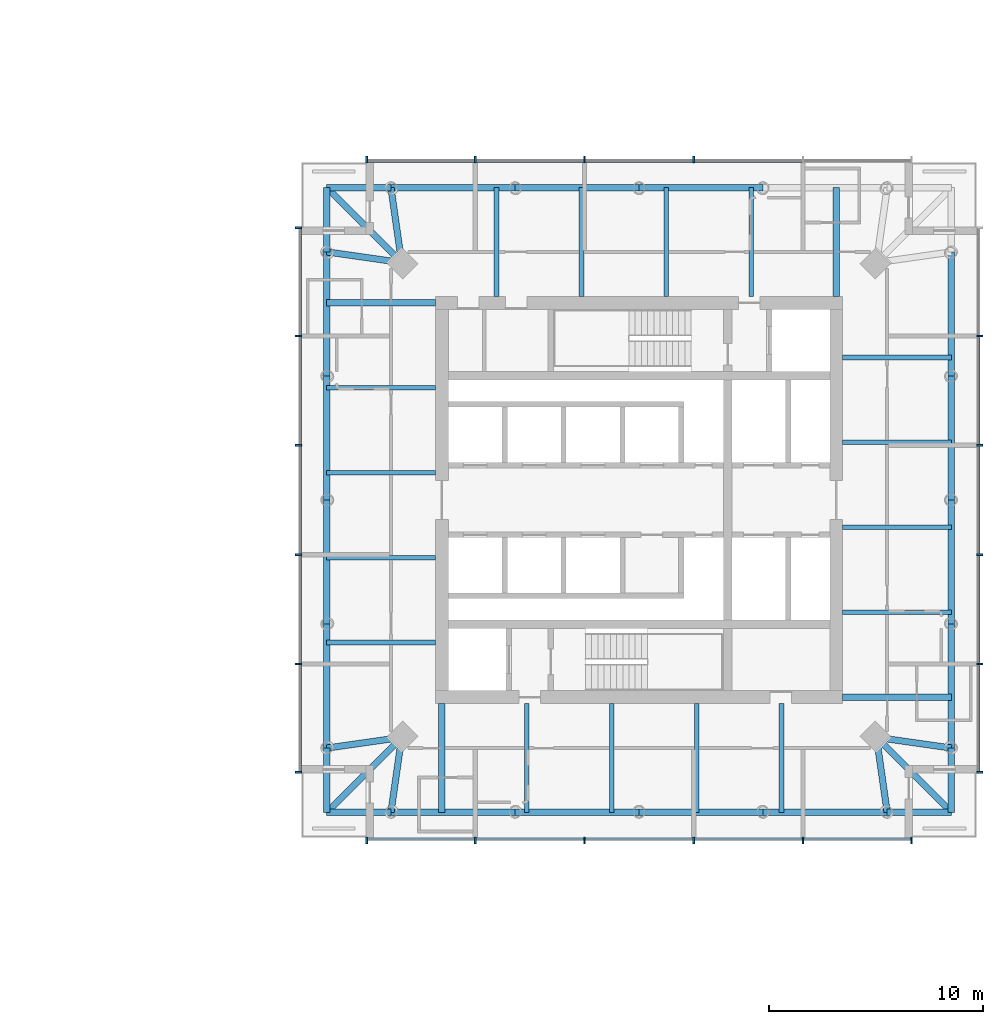
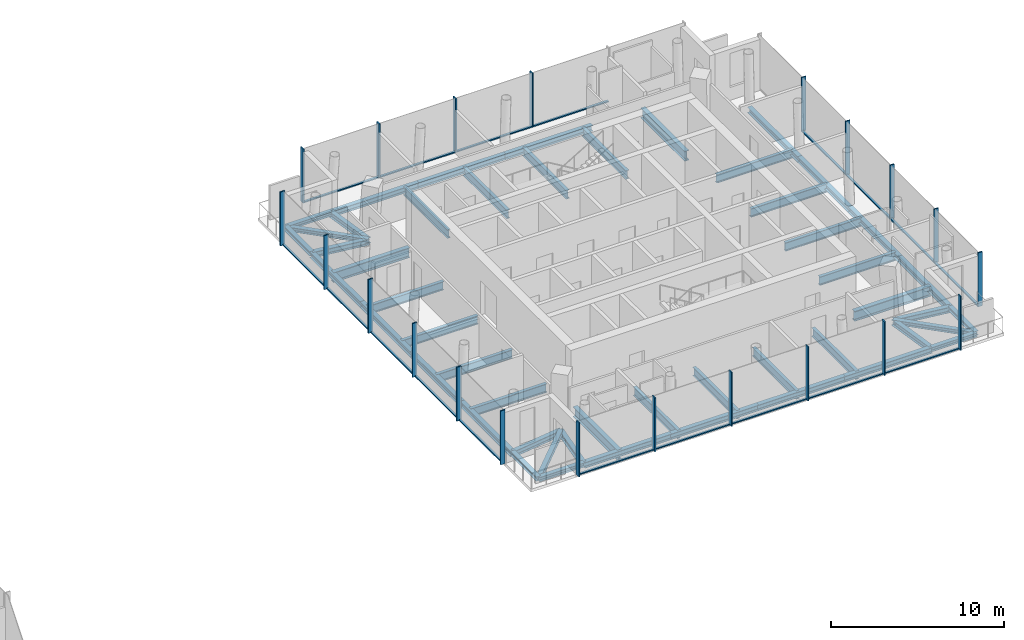
# One storey, part 4 of 18: 50 beams, 39 members, 4 elements without a shape of their own.
"""IFC4 building model written with IfcOpenShell, lengths in metres."""

from ifc_helpers import new_model, si_unit, direction, frame, origin, origin_2d, place, context, subcontext, project, spatial, rectangle, i_section, extrude, material, material_profile, profile_set, type_object, element, aggregate, save


model = new_model("IFC4")

# Units and contexts
model_context = context("Model", 3, precision=1e-05, world=origin(), true_north=direction((0.0, 1.0)))
body_context = subcontext(model_context, "Body", "Model", "MODEL_VIEW")
ifc_project = project(units=[si_unit("LENGTHUNIT", "METRE"), si_unit("AREAUNIT", "SQUARE_METRE"), si_unit("VOLUMEUNIT", "CUBIC_METRE"), si_unit("PLANEANGLEUNIT", "RADIAN"), si_unit("MASSUNIT", "GRAM", prefix="KILO")], contexts=[model_context])

# Site, building, storey
site_placement = place(None, origin())
site = spatial("IfcSite", under=ifc_project, at=site_placement, CompositionType="ELEMENT")
building_placement = place(site_placement, origin())
building = spatial("IfcBuilding", under=site, at=building_placement, Name="Ostroluk Exchange", CompositionType="ELEMENT")
storey_placement = place(building_placement, frame((0.0, 0.0, 123.60009765625)))
storey = spatial("IfcBuildingStorey", under=building, at=storey_placement, Name="L31", CompositionType="ELEMENT", Elevation=123.60009765625)

# Beams
ifc_material_1 = material(Name="Steel S355", Category="steel")
ifc_material_profile_1 = material_profile(ifc_material_1, i_section(OverallWidth=0.300048828125, OverallDepth=0.300048828125, WebThickness=0.010986328125, FlangeThickness=0.01904296875, FilletRadius=0.027099609375, at=origin_2d()), Name="HEB 300")
ifc_profile_set_1 = profile_set([ifc_material_profile_1], Name="Steel S355")
beam_type_1 = type_object("IfcBeamType", Name="Balcony beam HEB 300", PredefinedType="BEAM", material=ifc_profile_set_1)
for number, where, z_axis, x_axis, name in (
    (1, (105.42236328125, 60.57763671875, -0.35009765625), (-1.0, 0.0, 0.0), (0.0, -1.0, 0.0), "T2 north balcony beam a"),
    (2, (102.42236328125, 57.57763671875, -0.35009765625), (0.0, 1.0, 0.0), (-1.0, 0.0, 0.0), "T2 north balcony beam b"),
):
    element("IfcBeam", number, at=place(storey_placement, frame(where, z_axis=z_axis, x_axis=x_axis)), inside=storey, type_object=beam_type_1, Name=name, PredefinedType="BEAM", context=body_context, shape_type="SweptSolid", body=[
        extrude(i_section(OverallWidth=0.300048828125, OverallDepth=0.300048828125, WebThickness=0.010986328125, FlangeThickness=0.01904296875, FilletRadius=0.027099609375, at=origin_2d()), origin(), (0.0, 0.0, 1.0), 3.0),
    ])
beam_1_placement = place(storey_placement, frame((105.92236328125, 57.07763671875, -0.35009765625), z_axis=(-0.707106781187, 0.707106781187, 0.0), x_axis=(-0.707106781187, -0.707106781187, 0.0)))
element("IfcBeam", 3, at=beam_1_placement, inside=storey, type_object=beam_type_1, Name="T2 north balcony beam c", PredefinedType="BEAM", context=body_context, shape_type="SweptSolid", body=[
    extrude(i_section(OverallWidth=0.300048828125, OverallDepth=0.300048828125, WebThickness=0.010986328125, FlangeThickness=0.01904296875, FilletRadius=0.027099609375, at=origin_2d()), origin(), (0.0, 0.0, 1.0), 4.94970703125),
])
for number, where, z_axis, x_axis, name in (
    (4, (102.42236328125, 34.42236328125, -0.35009765625), (0.0, -1.0, 0.0), (1.0, 0.0, 0.0), "T2 west balcony beam a"),
    (5, (105.42236328125, 31.42236328125, -0.35009765625), (-1.0, 0.0, 0.0), (0.0, -1.0, 0.0), "T2 west balcony beam b"),
):
    element("IfcBeam", number, at=place(storey_placement, frame(where, z_axis=z_axis, x_axis=x_axis)), inside=storey, type_object=beam_type_1, Name=name, PredefinedType="BEAM", context=body_context, shape_type="SweptSolid", body=[
        extrude(i_section(OverallWidth=0.300048828125, OverallDepth=0.300048828125, WebThickness=0.010986328125, FlangeThickness=0.01904296875, FilletRadius=0.027099609375, at=origin_2d()), origin(), (0.0, 0.0, 1.0), 3.0),
    ])
beam_2_placement = place(storey_placement, frame((105.92236328125, 34.92236328125, -0.35009765625), z_axis=(-0.707106781187, -0.707106781187, 0.0), x_axis=(0.707106781187, -0.707106781187, 0.0)))
element("IfcBeam", 6, at=beam_2_placement, inside=storey, type_object=beam_type_1, Name="T2 west balcony beam c", PredefinedType="BEAM", context=body_context, shape_type="SweptSolid", body=[
    extrude(i_section(OverallWidth=0.300048828125, OverallDepth=0.300048828125, WebThickness=0.010986328125, FlangeThickness=0.01904296875, FilletRadius=0.027099609375, at=origin_2d()), origin(), (0.0, 0.0, 1.0), 4.94970703125),
])
for number, where, z_axis, x_axis, name in (
    (7, (128.57763671875, 31.42236328125, -0.35009765625), (1.0, 0.0, 0.0), (0.0, 1.0, 0.0), "T2 south balcony beam a"),
    (8, (131.57763671875, 34.42236328125, -0.35009765625), (0.0, -1.0, 0.0), (1.0, 0.0, 0.0), "T2 south balcony beam b"),
):
    element("IfcBeam", number, at=place(storey_placement, frame(where, z_axis=z_axis, x_axis=x_axis)), inside=storey, type_object=beam_type_1, Name=name, PredefinedType="BEAM", context=body_context, shape_type="SweptSolid", body=[
        extrude(i_section(OverallWidth=0.300048828125, OverallDepth=0.300048828125, WebThickness=0.010986328125, FlangeThickness=0.01904296875, FilletRadius=0.027099609375, at=origin_2d()), origin(), (0.0, 0.0, 1.0), 3.0),
    ])
beam_3_placement = place(storey_placement, frame((128.07763671875, 34.92236328125, -0.35009765625), z_axis=(0.707106781187, -0.707106781187, 0.0), x_axis=(0.707106781187, 0.707106781187, 0.0)))
element("IfcBeam", 9, at=beam_3_placement, inside=storey, type_object=beam_type_1, Name="T2 south balcony beam c", PredefinedType="BEAM", context=body_context, shape_type="SweptSolid", body=[
    extrude(i_section(OverallWidth=0.300048828125, OverallDepth=0.300048828125, WebThickness=0.010986328125, FlangeThickness=0.01904296875, FilletRadius=0.027099609375, at=origin_2d()), origin(), (0.0, 0.0, 1.0), 4.94970703125),
])
ifc_material_2 = material(Name="Steel S355", Category="steel")
ifc_material_profile_2 = material_profile(ifc_material_2, i_section(OverallWidth=0.300048828125, OverallDepth=0.39990234375, WebThickness=0.013427734375, FlangeThickness=0.02392578125, FilletRadius=0.027099609375, at=origin_2d()), Name="HEB 400")
ifc_profile_set_2 = profile_set([ifc_material_profile_2], Name="Steel S355")
beam_type_2 = type_object("IfcBeamType", Name="Corner edge beam HEB 400", PredefinedType="SPANDREL", material=ifc_profile_set_2)
for number, where, z_axis, x_axis, name in (
    (10, (105.92236328125, 57.07763671875, -0.400146484375), (-0.141421356237, 0.989949493661, 0.0), (-0.989949493661, -0.141421356237, 0.0), "T2 north corner edge beam a"),
    (11, (105.92236328125, 57.07763671875, -0.400146484375), (-0.989949493661, 0.141421356237, 0.0), (-0.141421356237, -0.989949493661, 0.0), "T2 north corner edge beam b"),
    (12, (105.92236328125, 34.92236328125, -0.400146484375), (-0.989949493661, -0.141421356237, 0.0), (0.141421356237, -0.989949493661, 0.0), "T2 west corner edge beam a"),
    (13, (105.92236328125, 34.92236328125, -0.400146484375), (-0.141421356237, -0.989949493661, 0.0), (0.989949493661, -0.141421356237, 0.0), "T2 west corner edge beam b"),
    (14, (128.07763671875, 34.92236328125, -0.400146484375), (0.141421356237, -0.989949493661, 0.0), (0.989949493661, 0.141421356237, 0.0), "T2 south corner edge beam a"),
    (15, (128.07763671875, 34.92236328125, -0.400146484375), (0.989949493661, -0.141421356237, 0.0), (0.141421356237, 0.989949493661, 0.0), "T2 south corner edge beam b"),
):
    element("IfcBeam", number, at=place(storey_placement, frame(where, z_axis=z_axis, x_axis=x_axis)), inside=storey, type_object=beam_type_2, Name=name, PredefinedType="SPANDREL", context=body_context, shape_type="SweptSolid", body=[
        extrude(i_section(OverallWidth=0.300048828125, OverallDepth=0.39990234375, WebThickness=0.013427734375, FlangeThickness=0.02392578125, FilletRadius=0.027099609375, at=origin_2d()), origin(), (0.0, 0.0, 1.0), 3.53564453125),
    ])
ifc_material_3 = material(Name="Steel S355", Category="steel")
ifc_material_profile_3 = material_profile(ifc_material_3, i_section(OverallWidth=0.219970703125, OverallDepth=0.60009765625, WebThickness=0.011962890625, FlangeThickness=0.01904296875, FilletRadius=0.02392578125, at=origin_2d()), Name="IPE 600")
ifc_profile_set_3 = profile_set([ifc_material_profile_3], Name="Steel S355")
beam_type_3 = type_object("IfcBeamType", Name="Floor beam IPE 600", PredefinedType="BEAM", material=ifc_profile_set_3)
for number, where, z_axis, x_axis, name in (
    (16, (126.5, 40.762939453125, -0.5), (1.0, 0.0, 0.0), (0.0, 1.0, 0.0), "T2 east floor beam 1"),
    (17, (126.5, 44.725830078125, -0.5), (1.0, 0.0, 0.0), (0.0, 1.0, 0.0), "T2 east floor beam 2"),
    (18, (126.5, 48.688720703125, -0.5), (1.0, 0.0, 0.0), (0.0, 1.0, 0.0), "T2 east floor beam 3"),
    (19, (126.5, 52.651611328125, -0.5), (1.0, 0.0, 0.0), (0.0, 1.0, 0.0), "T2 east floor beam 4"),
    (20, (122.237060546875, 55.5, -0.5), (0.0, 1.0, 0.0), (-1.0, 0.0, 0.0), "T2 north floor beam 1"),
    (21, (118.274169921875, 55.5, -0.5), (0.0, 1.0, 0.0), (-1.0, 0.0, 0.0), "T2 north floor beam 2"),
    (22, (114.311279296875, 55.5, -0.5), (0.0, 1.0, 0.0), (-1.0, 0.0, 0.0), "T2 north floor beam 3"),
    (23, (110.348388671875, 55.5, -0.5), (0.0, 1.0, 0.0), (-1.0, 0.0, 0.0), "T2 north floor beam 4"),
    (24, (107.5, 51.237060546875, -0.5), (-1.0, 0.0, 0.0), (0.0, -1.0, 0.0), "T2 west floor beam 1"),
    (25, (107.5, 47.274169921875, -0.5), (-1.0, 0.0, 0.0), (0.0, -1.0, 0.0), "T2 west floor beam 2"),
    (26, (107.5, 43.311279296875, -0.5), (-1.0, 0.0, 0.0), (0.0, -1.0, 0.0), "T2 west floor beam 3"),
    (27, (107.5, 39.348388671875, -0.5), (-1.0, 0.0, 0.0), (0.0, -1.0, 0.0), "T2 west floor beam 4"),
    (28, (111.762939453125, 36.5, -0.5), (0.0, -1.0, 0.0), (1.0, 0.0, 0.0), "T2 south floor beam 1"),
    (29, (115.725830078125, 36.5, -0.5), (0.0, -1.0, 0.0), (1.0, 0.0, 0.0), "T2 south floor beam 2"),
    (30, (119.688720703125, 36.5, -0.5), (0.0, -1.0, 0.0), (1.0, 0.0, 0.0), "T2 south floor beam 3"),
    (31, (123.651611328125, 36.5, -0.5), (0.0, -1.0, 0.0), (1.0, 0.0, 0.0), "T2 south floor beam 4"),
):
    element("IfcBeam", number, at=place(storey_placement, frame(where, z_axis=z_axis, x_axis=x_axis)), inside=storey, type_object=beam_type_3, Name=name, PredefinedType="BEAM", context=body_context, shape_type="SweptSolid", body=[
        extrude(i_section(OverallWidth=0.219970703125, OverallDepth=0.60009765625, WebThickness=0.011962890625, FlangeThickness=0.01904296875, FilletRadius=0.02392578125, at=origin_2d()), origin(), (0.0, 0.0, 1.0), 5.07763671875),
    ])
ifc_material_4 = material(Name="Steel S355", Category="steel")
ifc_material_profile_4 = material_profile(ifc_material_4, i_section(OverallWidth=0.300048828125, OverallDepth=0.699951171875, WebThickness=0.01708984375, FlangeThickness=0.031982421875, FilletRadius=0.027099609375, at=origin_2d()), Name="HEB 700")
ifc_profile_set_4 = profile_set([ifc_material_profile_4], Name="Steel S355")
beam_type_4 = type_object("IfcBeamType", Name="Girder HEB 700", PredefinedType="BEAM", material=ifc_profile_set_4)
for number, where, z_axis, x_axis, name in (
    (32, (126.199951171875, 55.5, -0.550048828125), (0.0, 1.0, 0.0), (-1.0, 0.0, 0.0), "T2 east girder"),
    (33, (107.5, 55.199951171875, -0.550048828125), (-1.0, 0.0, 0.0), (0.0, -1.0, 0.0), "T2 north girder"),
    (34, (107.800048828125, 36.5, -0.550048828125), (0.0, -1.0, 0.0), (1.0, 0.0, 0.0), "T2 west girder"),
    (35, (126.5, 36.800048828125, -0.550048828125), (1.0, 0.0, 0.0), (0.0, 1.0, 0.0), "T2 south girder"),
):
    element("IfcBeam", number, at=place(storey_placement, frame(where, z_axis=z_axis, x_axis=x_axis)), inside=storey, type_object=beam_type_4, Name=name, PredefinedType="BEAM", context=body_context, shape_type="SweptSolid", body=[
        extrude(i_section(OverallWidth=0.300048828125, OverallDepth=0.699951171875, WebThickness=0.01708984375, FlangeThickness=0.031982421875, FilletRadius=0.027099609375, at=origin_2d()), origin(), (0.0, 0.0, 1.0), 5.07763671875),
    ])
ifc_material_5 = material(Name="Steel S355", Category="steel")
ifc_material_profile_5 = material_profile(ifc_material_5, i_section(OverallWidth=0.300048828125, OverallDepth=0.39990234375, WebThickness=0.013427734375, FlangeThickness=0.02392578125, FilletRadius=0.027099609375, at=origin_2d()), Name="HEB 400")
ifc_profile_set_5 = profile_set([ifc_material_profile_5], Name="Steel S355")
beam_type_5 = type_object("IfcBeamType", Name="Moment-connected edge beam HEB 400", PredefinedType="SPANDREL", material=ifc_profile_set_5)
for number, where, z_axis, x_axis, name in (
    (36, (131.57763671875, 34.42236328125, -0.400146484375), (0.0, 1.0, 0.0), (-1.0, 0.0, 0.0), "T2 east edge beam 1"),
    (37, (131.57763671875, 40.211181640625, -0.400146484375), (0.0, 1.0, 0.0), (-1.0, 0.0, 0.0), "T2 east edge beam 2"),
    (38, (131.57763671875, 46.0, -0.400146484375), (0.0, 1.0, 0.0), (-1.0, 0.0, 0.0), "T2 east edge beam 3"),
    (39, (131.57763671875, 51.788818359375, -0.400146484375), (0.0, 1.0, 0.0), (-1.0, 0.0, 0.0), "T2 east edge beam 4"),
    (40, (122.788818359375, 60.57763671875, -0.400146484375), (-1.0, 0.0, 0.0), (0.0, -1.0, 0.0), "T2 north edge beam 2"),
    (41, (117.0, 60.57763671875, -0.400146484375), (-1.0, 0.0, 0.0), (0.0, -1.0, 0.0), "T2 north edge beam 3"),
    (42, (111.211181640625, 60.57763671875, -0.400146484375), (-1.0, 0.0, 0.0), (0.0, -1.0, 0.0), "T2 north edge beam 4"),
    (43, (102.42236328125, 57.57763671875, -0.400146484375), (0.0, -1.0, 0.0), (1.0, 0.0, 0.0), "T2 west edge beam 1"),
    (44, (102.42236328125, 51.788818359375, -0.400146484375), (0.0, -1.0, 0.0), (1.0, 0.0, 0.0), "T2 west edge beam 2"),
    (45, (102.42236328125, 46.0, -0.400146484375), (0.0, -1.0, 0.0), (1.0, 0.0, 0.0), "T2 west edge beam 3"),
    (46, (102.42236328125, 40.211181640625, -0.400146484375), (0.0, -1.0, 0.0), (1.0, 0.0, 0.0), "T2 west edge beam 4"),
    (47, (105.42236328125, 31.42236328125, -0.400146484375), (1.0, 0.0, 0.0), (0.0, 1.0, 0.0), "T2 south edge beam 1"),
    (48, (111.211181640625, 31.42236328125, -0.400146484375), (1.0, 0.0, 0.0), (0.0, 1.0, 0.0), "T2 south edge beam 2"),
    (49, (117.0, 31.42236328125, -0.400146484375), (1.0, 0.0, 0.0), (0.0, 1.0, 0.0), "T2 south edge beam 3"),
    (50, (122.788818359375, 31.42236328125, -0.400146484375), (1.0, 0.0, 0.0), (0.0, 1.0, 0.0), "T2 south edge beam 4"),
):
    element("IfcBeam", number, at=place(storey_placement, frame(where, z_axis=z_axis, x_axis=x_axis)), inside=storey, type_object=beam_type_5, Name=name, PredefinedType="SPANDREL", context=body_context, shape_type="SweptSolid", body=[
        extrude(i_section(OverallWidth=0.300048828125, OverallDepth=0.39990234375, WebThickness=0.013427734375, FlangeThickness=0.02392578125, FilletRadius=0.027099609375, at=origin_2d()), origin(), (0.0, 0.0, 1.0), 5.788818359375),
    ])

# Curtain wall, members
ifc_material_6 = material(Name="Laminated clear glass", Category="glass")
curtain_wall_type = type_object("IfcCurtainWallType", Name="Hotel guest floor facade", PredefinedType="USERDEFINED", material=ifc_material_6)
curtain_wall_1_placement = place(storey_placement, origin())
curtain_wall_1 = element("IfcCurtainWall", 51, at=curtain_wall_1_placement, inside=storey, type_object=curtain_wall_type, Name="Hotel tower south facade L31", ObjectType="UNITISED CURTAIN WALL", PredefinedType="USERDEFINED")
ifc_material_7 = material(Name="Aluminium mullion", Category="aluminium")
ifc_material_profile_6 = material_profile(ifc_material_7, rectangle(XDim=0.14990234375, YDim=0.080078125, at=origin_2d()), Name="Sill transom 80 x 150")
ifc_profile_set_6 = profile_set([ifc_material_profile_6], Name="Aluminium mullion")
member_type_1 = type_object("IfcMemberType", Name="Sill transom 80 x 150", PredefinedType="USERDEFINED", material=ifc_profile_set_6)
member_1_placement = place(storey_placement, frame((104.330078125, 30.175048828125, 0.039794921875), z_axis=(1.0, 0.0, 0.0), x_axis=(0.0, 1.0, 0.0)))
member_1 = element("IfcMember", 52, at=member_1_placement, type_object=member_type_1, Name="CW-H1 transom 1.1", ObjectType="TRANSOM", PredefinedType="USERDEFINED", context=body_context, shape_type="SweptSolid", body=[
    extrude(rectangle(XDim=0.14990234375, YDim=0.080078125, at=origin_2d()), origin(), (0.0, 0.0, 1.0), 4.97998046875),
])
member_2_placement = place(storey_placement, frame((109.389892578125, 30.175048828125, 0.039794921875), z_axis=(1.0, 0.0, 0.0), x_axis=(0.0, 1.0, 0.0)))
member_2 = element("IfcMember", 53, at=member_2_placement, type_object=member_type_1, Name="CW-H1 transom 2.1", ObjectType="TRANSOM", PredefinedType="USERDEFINED", context=body_context, shape_type="SweptSolid", body=[
    extrude(rectangle(XDim=0.14990234375, YDim=0.080078125, at=origin_2d()), origin(), (0.0, 0.0, 1.0), 5.02001953125),
])
member_3_placement = place(storey_placement, frame((114.489990234375, 30.175048828125, 0.039794921875), z_axis=(1.0, 0.0, 0.0), x_axis=(0.0, 1.0, 0.0)))
member_3 = element("IfcMember", 54, at=member_3_placement, type_object=member_type_1, Name="CW-H1 transom 3.1", ObjectType="TRANSOM", PredefinedType="USERDEFINED", context=body_context, shape_type="SweptSolid", body=[
    extrude(rectangle(XDim=0.14990234375, YDim=0.080078125, at=origin_2d()), origin(), (0.0, 0.0, 1.0), 5.02001953125),
])
member_4_placement = place(storey_placement, frame((119.590087890625, 30.175048828125, 0.039794921875), z_axis=(1.0, 0.0, 0.0), x_axis=(0.0, 1.0, 0.0)))
member_4 = element("IfcMember", 55, at=member_4_placement, type_object=member_type_1, Name="CW-H1 transom 4.1", ObjectType="TRANSOM", PredefinedType="USERDEFINED", context=body_context, shape_type="SweptSolid", body=[
    extrude(rectangle(XDim=0.14990234375, YDim=0.080078125, at=origin_2d()), origin(), (0.0, 0.0, 1.0), 5.02001953125),
])
member_5_placement = place(storey_placement, frame((124.68994140625, 30.175048828125, 0.039794921875), z_axis=(1.0, 0.0, 0.0), x_axis=(0.0, 1.0, 0.0)))
member_5 = element("IfcMember", 56, at=member_5_placement, type_object=member_type_1, Name="CW-H1 transom 5.1", ObjectType="TRANSOM", PredefinedType="USERDEFINED", context=body_context, shape_type="SweptSolid", body=[
    extrude(rectangle(XDim=0.14990234375, YDim=0.080078125, at=origin_2d()), origin(), (0.0, 0.0, 1.0), 4.97998046875),
])

curtain_wall_2_placement = place(storey_placement, origin())
curtain_wall_2 = element("IfcCurtainWall", 57, at=curtain_wall_2_placement, inside=storey, type_object=curtain_wall_type, Name="Hotel tower east facade L31", ObjectType="UNITISED CURTAIN WALL", PredefinedType="USERDEFINED")
member_6_placement = place(storey_placement, frame((132.824951171875, 33.330078125, 0.039794921875), z_axis=(0.0, 1.0, 0.0), x_axis=(-1.0, 0.0, 0.0)))
member_6 = element("IfcMember", 58, at=member_6_placement, type_object=member_type_1, Name="CW-H1 transom 1.1", ObjectType="TRANSOM", PredefinedType="USERDEFINED", context=body_context, shape_type="SweptSolid", body=[
    extrude(rectangle(XDim=0.14990234375, YDim=0.080078125, at=origin_2d()), origin(), (0.0, 0.0, 1.0), 4.97998046875),
])
member_7_placement = place(storey_placement, frame((132.824951171875, 38.389892578125, 0.039794921875), z_axis=(0.0, 1.0, 0.0), x_axis=(-1.0, 0.0, 0.0)))
member_7 = element("IfcMember", 59, at=member_7_placement, type_object=member_type_1, Name="CW-H1 transom 2.1", ObjectType="TRANSOM", PredefinedType="USERDEFINED", context=body_context, shape_type="SweptSolid", body=[
    extrude(rectangle(XDim=0.14990234375, YDim=0.080078125, at=origin_2d()), origin(), (0.0, 0.0, 1.0), 5.02001953125),
])
member_8_placement = place(storey_placement, frame((132.824951171875, 43.489990234375, 0.039794921875), z_axis=(0.0, 1.0, 0.0), x_axis=(-1.0, 0.0, 0.0)))
member_8 = element("IfcMember", 60, at=member_8_placement, type_object=member_type_1, Name="CW-H1 transom 3.1", ObjectType="TRANSOM", PredefinedType="USERDEFINED", context=body_context, shape_type="SweptSolid", body=[
    extrude(rectangle(XDim=0.14990234375, YDim=0.080078125, at=origin_2d()), origin(), (0.0, 0.0, 1.0), 5.02001953125),
])
member_9_placement = place(storey_placement, frame((132.824951171875, 48.590087890625, 0.039794921875), z_axis=(0.0, 1.0, 0.0), x_axis=(-1.0, 0.0, 0.0)))
member_9 = element("IfcMember", 61, at=member_9_placement, type_object=member_type_1, Name="CW-H1 transom 4.1", ObjectType="TRANSOM", PredefinedType="USERDEFINED", context=body_context, shape_type="SweptSolid", body=[
    extrude(rectangle(XDim=0.14990234375, YDim=0.080078125, at=origin_2d()), origin(), (0.0, 0.0, 1.0), 5.02001953125),
])

curtain_wall_3_placement = place(storey_placement, origin())
curtain_wall_3 = element("IfcCurtainWall", 62, at=curtain_wall_3_placement, inside=storey, type_object=curtain_wall_type, Name="Hotel tower north facade L31", ObjectType="UNITISED CURTAIN WALL", PredefinedType="USERDEFINED")
member_10_placement = place(storey_placement, frame((124.610107421875, 61.824951171875, 0.039794921875), z_axis=(-1.0, 0.0, 0.0), x_axis=(0.0, -1.0, 0.0)))
member_10 = element("IfcMember", 63, at=member_10_placement, type_object=member_type_1, Name="CW-H1 transom 2.1", ObjectType="TRANSOM", PredefinedType="USERDEFINED", context=body_context, shape_type="SweptSolid", body=[
    extrude(rectangle(XDim=0.14990234375, YDim=0.080078125, at=origin_2d()), origin(), (0.0, 0.0, 1.0), 5.02001953125),
])
member_11_placement = place(storey_placement, frame((119.510009765625, 61.824951171875, 0.039794921875), z_axis=(-1.0, 0.0, 0.0), x_axis=(0.0, -1.0, 0.0)))
member_11 = element("IfcMember", 64, at=member_11_placement, type_object=member_type_1, Name="CW-H1 transom 3.1", ObjectType="TRANSOM", PredefinedType="USERDEFINED", context=body_context, shape_type="SweptSolid", body=[
    extrude(rectangle(XDim=0.14990234375, YDim=0.080078125, at=origin_2d()), origin(), (0.0, 0.0, 1.0), 5.02001953125),
])
member_12_placement = place(storey_placement, frame((114.409912109375, 61.824951171875, 0.039794921875), z_axis=(-1.0, 0.0, 0.0), x_axis=(0.0, -1.0, 0.0)))
member_12 = element("IfcMember", 65, at=member_12_placement, type_object=member_type_1, Name="CW-H1 transom 4.1", ObjectType="TRANSOM", PredefinedType="USERDEFINED", context=body_context, shape_type="SweptSolid", body=[
    extrude(rectangle(XDim=0.14990234375, YDim=0.080078125, at=origin_2d()), origin(), (0.0, 0.0, 1.0), 5.02001953125),
])
member_13_placement = place(storey_placement, frame((109.31005859375, 61.824951171875, 0.039794921875), z_axis=(-1.0, 0.0, 0.0), x_axis=(0.0, -1.0, 0.0)))
member_13 = element("IfcMember", 66, at=member_13_placement, type_object=member_type_1, Name="CW-H1 transom 5.1", ObjectType="TRANSOM", PredefinedType="USERDEFINED", context=body_context, shape_type="SweptSolid", body=[
    extrude(rectangle(XDim=0.14990234375, YDim=0.080078125, at=origin_2d()), origin(), (0.0, 0.0, 1.0), 4.97998046875),
])

curtain_wall_4_placement = place(storey_placement, origin())
curtain_wall_4 = element("IfcCurtainWall", 67, at=curtain_wall_4_placement, inside=storey, type_object=curtain_wall_type, Name="Hotel tower west facade L31", ObjectType="UNITISED CURTAIN WALL", PredefinedType="USERDEFINED")
member_14_placement = place(storey_placement, frame((101.175048828125, 58.669921875, 0.039794921875), z_axis=(0.0, -1.0, 0.0), x_axis=(1.0, 0.0, 0.0)))
member_14 = element("IfcMember", 68, at=member_14_placement, type_object=member_type_1, Name="CW-H1 transom 1.1", ObjectType="TRANSOM", PredefinedType="USERDEFINED", context=body_context, shape_type="SweptSolid", body=[
    extrude(rectangle(XDim=0.14990234375, YDim=0.080078125, at=origin_2d()), origin(), (0.0, 0.0, 1.0), 4.97998046875),
])
member_15_placement = place(storey_placement, frame((101.175048828125, 53.610107421875, 0.039794921875), z_axis=(0.0, -1.0, 0.0), x_axis=(1.0, 0.0, 0.0)))
member_15 = element("IfcMember", 69, at=member_15_placement, type_object=member_type_1, Name="CW-H1 transom 2.1", ObjectType="TRANSOM", PredefinedType="USERDEFINED", context=body_context, shape_type="SweptSolid", body=[
    extrude(rectangle(XDim=0.14990234375, YDim=0.080078125, at=origin_2d()), origin(), (0.0, 0.0, 1.0), 5.02001953125),
])
member_16_placement = place(storey_placement, frame((101.175048828125, 48.510009765625, 0.039794921875), z_axis=(0.0, -1.0, 0.0), x_axis=(1.0, 0.0, 0.0)))
member_16 = element("IfcMember", 70, at=member_16_placement, type_object=member_type_1, Name="CW-H1 transom 3.1", ObjectType="TRANSOM", PredefinedType="USERDEFINED", context=body_context, shape_type="SweptSolid", body=[
    extrude(rectangle(XDim=0.14990234375, YDim=0.080078125, at=origin_2d()), origin(), (0.0, 0.0, 1.0), 5.02001953125),
])
member_17_placement = place(storey_placement, frame((101.175048828125, 43.409912109375, 0.039794921875), z_axis=(0.0, -1.0, 0.0), x_axis=(1.0, 0.0, 0.0)))
member_17 = element("IfcMember", 71, at=member_17_placement, type_object=member_type_1, Name="CW-H1 transom 4.1", ObjectType="TRANSOM", PredefinedType="USERDEFINED", context=body_context, shape_type="SweptSolid", body=[
    extrude(rectangle(XDim=0.14990234375, YDim=0.080078125, at=origin_2d()), origin(), (0.0, 0.0, 1.0), 5.02001953125),
])
member_18_placement = place(storey_placement, frame((101.175048828125, 38.31005859375, 0.039794921875), z_axis=(0.0, -1.0, 0.0), x_axis=(1.0, 0.0, 0.0)))
member_18 = element("IfcMember", 72, at=member_18_placement, type_object=member_type_1, Name="CW-H1 transom 5.1", ObjectType="TRANSOM", PredefinedType="USERDEFINED", context=body_context, shape_type="SweptSolid", body=[
    extrude(rectangle(XDim=0.14990234375, YDim=0.080078125, at=origin_2d()), origin(), (0.0, 0.0, 1.0), 4.97998046875),
])

# Member
ifc_material_8 = material(Name="Aluminium mullion with limestone facing", Category="masonry")
ifc_material_profile_7 = material_profile(ifc_material_8, rectangle(XDim=0.300048828125, YDim=0.080078125, at=origin_2d()), Name="Tracery mullion 80 x 300")
ifc_profile_set_7 = profile_set([ifc_material_profile_7], Name="Aluminium mullion with limestone facing")
member_type_2 = type_object("IfcMemberType", Name="Tracery mullion 80 x 300", PredefinedType="MULLION", material=ifc_profile_set_7)
member_19_placement = place(storey_placement, frame((104.2900390625, 30.10009765625, 0.0), z_axis=(0.0, 0.0, 1.0), x_axis=(0.0, 1.0, 0.0)))
member_19 = element("IfcMember", 73, at=member_19_placement, type_object=member_type_2, Name="CW-H1 mullion 1", PredefinedType="MULLION", context=body_context, shape_type="SweptSolid", body=[
    extrude(rectangle(XDim=0.300048828125, YDim=0.080078125, at=origin_2d()), origin(), (0.0, 0.0, 1.0), 3.7998046875),
])

member_20_placement = place(storey_placement, frame((109.35009765625, 30.10009765625, 0.0), z_axis=(0.0, 0.0, 1.0), x_axis=(0.0, 1.0, 0.0)))
member_20 = element("IfcMember", 74, at=member_20_placement, type_object=member_type_2, Name="CW-H1 mullion 2", PredefinedType="MULLION", context=body_context, shape_type="SweptSolid", body=[
    extrude(rectangle(XDim=0.300048828125, YDim=0.080078125, at=origin_2d()), origin(), (0.0, 0.0, 1.0), 3.7998046875),
])

member_21_placement = place(storey_placement, frame((114.449951171875, 30.10009765625, 0.0), z_axis=(0.0, 0.0, 1.0), x_axis=(0.0, 1.0, 0.0)))
member_21 = element("IfcMember", 75, at=member_21_placement, type_object=member_type_2, Name="CW-H1 mullion 3", PredefinedType="MULLION", context=body_context, shape_type="SweptSolid", body=[
    extrude(rectangle(XDim=0.300048828125, YDim=0.080078125, at=origin_2d()), origin(), (0.0, 0.0, 1.0), 3.7998046875),
])

member_22_placement = place(storey_placement, frame((119.550048828125, 30.10009765625, 0.0), z_axis=(0.0, 0.0, 1.0), x_axis=(0.0, 1.0, 0.0)))
member_22 = element("IfcMember", 76, at=member_22_placement, type_object=member_type_2, Name="CW-H1 mullion 4", PredefinedType="MULLION", context=body_context, shape_type="SweptSolid", body=[
    extrude(rectangle(XDim=0.300048828125, YDim=0.080078125, at=origin_2d()), origin(), (0.0, 0.0, 1.0), 3.7998046875),
])

member_23_placement = place(storey_placement, frame((124.64990234375, 30.10009765625, 0.0), z_axis=(0.0, 0.0, 1.0), x_axis=(0.0, 1.0, 0.0)))
member_23 = element("IfcMember", 77, at=member_23_placement, type_object=member_type_2, Name="CW-H1 mullion 5", PredefinedType="MULLION", context=body_context, shape_type="SweptSolid", body=[
    extrude(rectangle(XDim=0.300048828125, YDim=0.080078125, at=origin_2d()), origin(), (0.0, 0.0, 1.0), 3.7998046875),
])

member_24_placement = place(storey_placement, frame((129.7099609375, 30.10009765625, 0.0), z_axis=(0.0, 0.0, 1.0), x_axis=(0.0, 1.0, 0.0)))
member_24 = element("IfcMember", 78, at=member_24_placement, type_object=member_type_2, Name="CW-H1 mullion 6", PredefinedType="MULLION", context=body_context, shape_type="SweptSolid", body=[
    extrude(rectangle(XDim=0.300048828125, YDim=0.080078125, at=origin_2d()), origin(), (0.0, 0.0, 1.0), 3.7998046875),
])

aggregate(curtain_wall_1, [member_19, member_20, member_21, member_22, member_23, member_24, member_1, member_2, member_3, member_4, member_5])

member_25_placement = place(storey_placement, frame((132.89990234375, 33.2900390625, 0.0), z_axis=(0.0, 0.0, 1.0), x_axis=(-1.0, 0.0, 0.0)))
member_25 = element("IfcMember", 79, at=member_25_placement, type_object=member_type_2, Name="CW-H1 mullion 1", PredefinedType="MULLION", context=body_context, shape_type="SweptSolid", body=[
    extrude(rectangle(XDim=0.300048828125, YDim=0.080078125, at=origin_2d()), origin(), (0.0, 0.0, 1.0), 3.7998046875),
])

member_26_placement = place(storey_placement, frame((132.89990234375, 38.35009765625, 0.0), z_axis=(0.0, 0.0, 1.0), x_axis=(-1.0, 0.0, 0.0)))
member_26 = element("IfcMember", 80, at=member_26_placement, type_object=member_type_2, Name="CW-H1 mullion 2", PredefinedType="MULLION", context=body_context, shape_type="SweptSolid", body=[
    extrude(rectangle(XDim=0.300048828125, YDim=0.080078125, at=origin_2d()), origin(), (0.0, 0.0, 1.0), 3.7998046875),
])

member_27_placement = place(storey_placement, frame((132.89990234375, 43.449951171875, 0.0), z_axis=(0.0, 0.0, 1.0), x_axis=(-1.0, 0.0, 0.0)))
member_27 = element("IfcMember", 81, at=member_27_placement, type_object=member_type_2, Name="CW-H1 mullion 3", PredefinedType="MULLION", context=body_context, shape_type="SweptSolid", body=[
    extrude(rectangle(XDim=0.300048828125, YDim=0.080078125, at=origin_2d()), origin(), (0.0, 0.0, 1.0), 3.7998046875),
])

member_28_placement = place(storey_placement, frame((132.89990234375, 48.550048828125, 0.0), z_axis=(0.0, 0.0, 1.0), x_axis=(-1.0, 0.0, 0.0)))
member_28 = element("IfcMember", 82, at=member_28_placement, type_object=member_type_2, Name="CW-H1 mullion 4", PredefinedType="MULLION", context=body_context, shape_type="SweptSolid", body=[
    extrude(rectangle(XDim=0.300048828125, YDim=0.080078125, at=origin_2d()), origin(), (0.0, 0.0, 1.0), 3.7998046875),
])

member_29_placement = place(storey_placement, frame((132.89990234375, 53.64990234375, 0.0), z_axis=(0.0, 0.0, 1.0), x_axis=(-1.0, 0.0, 0.0)))
member_29 = element("IfcMember", 83, at=member_29_placement, type_object=member_type_2, Name="CW-H1 mullion 5", PredefinedType="MULLION", context=body_context, shape_type="SweptSolid", body=[
    extrude(rectangle(XDim=0.300048828125, YDim=0.080078125, at=origin_2d()), origin(), (0.0, 0.0, 1.0), 3.7998046875),
])

aggregate(curtain_wall_2, [member_25, member_26, member_27, member_28, member_29, member_6, member_7, member_8, member_9])

member_30_placement = place(storey_placement, frame((119.550048828125, 61.89990234375, 0.0), z_axis=(0.0, 0.0, 1.0), x_axis=(0.0, -1.0, 0.0)))
member_30 = element("IfcMember", 84, at=member_30_placement, type_object=member_type_2, Name="CW-H1 mullion 3", PredefinedType="MULLION", context=body_context, shape_type="SweptSolid", body=[
    extrude(rectangle(XDim=0.300048828125, YDim=0.080078125, at=origin_2d()), origin(), (0.0, 0.0, 1.0), 3.7998046875),
])

member_31_placement = place(storey_placement, frame((114.449951171875, 61.89990234375, 0.0), z_axis=(0.0, 0.0, 1.0), x_axis=(0.0, -1.0, 0.0)))
member_31 = element("IfcMember", 85, at=member_31_placement, type_object=member_type_2, Name="CW-H1 mullion 4", PredefinedType="MULLION", context=body_context, shape_type="SweptSolid", body=[
    extrude(rectangle(XDim=0.300048828125, YDim=0.080078125, at=origin_2d()), origin(), (0.0, 0.0, 1.0), 3.7998046875),
])

member_32_placement = place(storey_placement, frame((109.35009765625, 61.89990234375, 0.0), z_axis=(0.0, 0.0, 1.0), x_axis=(0.0, -1.0, 0.0)))
member_32 = element("IfcMember", 86, at=member_32_placement, type_object=member_type_2, Name="CW-H1 mullion 5", PredefinedType="MULLION", context=body_context, shape_type="SweptSolid", body=[
    extrude(rectangle(XDim=0.300048828125, YDim=0.080078125, at=origin_2d()), origin(), (0.0, 0.0, 1.0), 3.7998046875),
])

member_33_placement = place(storey_placement, frame((104.2900390625, 61.89990234375, 0.0), z_axis=(0.0, 0.0, 1.0), x_axis=(0.0, -1.0, 0.0)))
member_33 = element("IfcMember", 87, at=member_33_placement, type_object=member_type_2, Name="CW-H1 mullion 6", PredefinedType="MULLION", context=body_context, shape_type="SweptSolid", body=[
    extrude(rectangle(XDim=0.300048828125, YDim=0.080078125, at=origin_2d()), origin(), (0.0, 0.0, 1.0), 3.7998046875),
])

aggregate(curtain_wall_3, [member_30, member_31, member_32, member_33, member_10, member_11, member_12, member_13])

member_34_placement = place(storey_placement, frame((101.10009765625, 58.7099609375, 0.0), z_axis=(0.0, 0.0, 1.0), x_axis=(1.0, 0.0, 0.0)))
member_34 = element("IfcMember", 88, at=member_34_placement, type_object=member_type_2, Name="CW-H1 mullion 1", PredefinedType="MULLION", context=body_context, shape_type="SweptSolid", body=[
    extrude(rectangle(XDim=0.300048828125, YDim=0.080078125, at=origin_2d()), origin(), (0.0, 0.0, 1.0), 3.7998046875),
])

member_35_placement = place(storey_placement, frame((101.10009765625, 53.64990234375, 0.0), z_axis=(0.0, 0.0, 1.0), x_axis=(1.0, 0.0, 0.0)))
member_35 = element("IfcMember", 89, at=member_35_placement, type_object=member_type_2, Name="CW-H1 mullion 2", PredefinedType="MULLION", context=body_context, shape_type="SweptSolid", body=[
    extrude(rectangle(XDim=0.300048828125, YDim=0.080078125, at=origin_2d()), origin(), (0.0, 0.0, 1.0), 3.7998046875),
])

member_36_placement = place(storey_placement, frame((101.10009765625, 48.550048828125, 0.0), z_axis=(0.0, 0.0, 1.0), x_axis=(1.0, 0.0, 0.0)))
member_36 = element("IfcMember", 90, at=member_36_placement, type_object=member_type_2, Name="CW-H1 mullion 3", PredefinedType="MULLION", context=body_context, shape_type="SweptSolid", body=[
    extrude(rectangle(XDim=0.300048828125, YDim=0.080078125, at=origin_2d()), origin(), (0.0, 0.0, 1.0), 3.7998046875),
])

member_37_placement = place(storey_placement, frame((101.10009765625, 43.449951171875, 0.0), z_axis=(0.0, 0.0, 1.0), x_axis=(1.0, 0.0, 0.0)))
member_37 = element("IfcMember", 91, at=member_37_placement, type_object=member_type_2, Name="CW-H1 mullion 4", PredefinedType="MULLION", context=body_context, shape_type="SweptSolid", body=[
    extrude(rectangle(XDim=0.300048828125, YDim=0.080078125, at=origin_2d()), origin(), (0.0, 0.0, 1.0), 3.7998046875),
])

member_38_placement = place(storey_placement, frame((101.10009765625, 38.35009765625, 0.0), z_axis=(0.0, 0.0, 1.0), x_axis=(1.0, 0.0, 0.0)))
member_38 = element("IfcMember", 92, at=member_38_placement, type_object=member_type_2, Name="CW-H1 mullion 5", PredefinedType="MULLION", context=body_context, shape_type="SweptSolid", body=[
    extrude(rectangle(XDim=0.300048828125, YDim=0.080078125, at=origin_2d()), origin(), (0.0, 0.0, 1.0), 3.7998046875),
])

member_39_placement = place(storey_placement, frame((101.10009765625, 33.2900390625, 0.0), z_axis=(0.0, 0.0, 1.0), x_axis=(1.0, 0.0, 0.0)))
member_39 = element("IfcMember", 93, at=member_39_placement, type_object=member_type_2, Name="CW-H1 mullion 6", PredefinedType="MULLION", context=body_context, shape_type="SweptSolid", body=[
    extrude(rectangle(XDim=0.300048828125, YDim=0.080078125, at=origin_2d()), origin(), (0.0, 0.0, 1.0), 3.7998046875),
])

aggregate(curtain_wall_4, [member_34, member_35, member_36, member_37, member_38, member_39, member_14, member_15, member_16, member_17, member_18])

save(model, "model.ifc")
